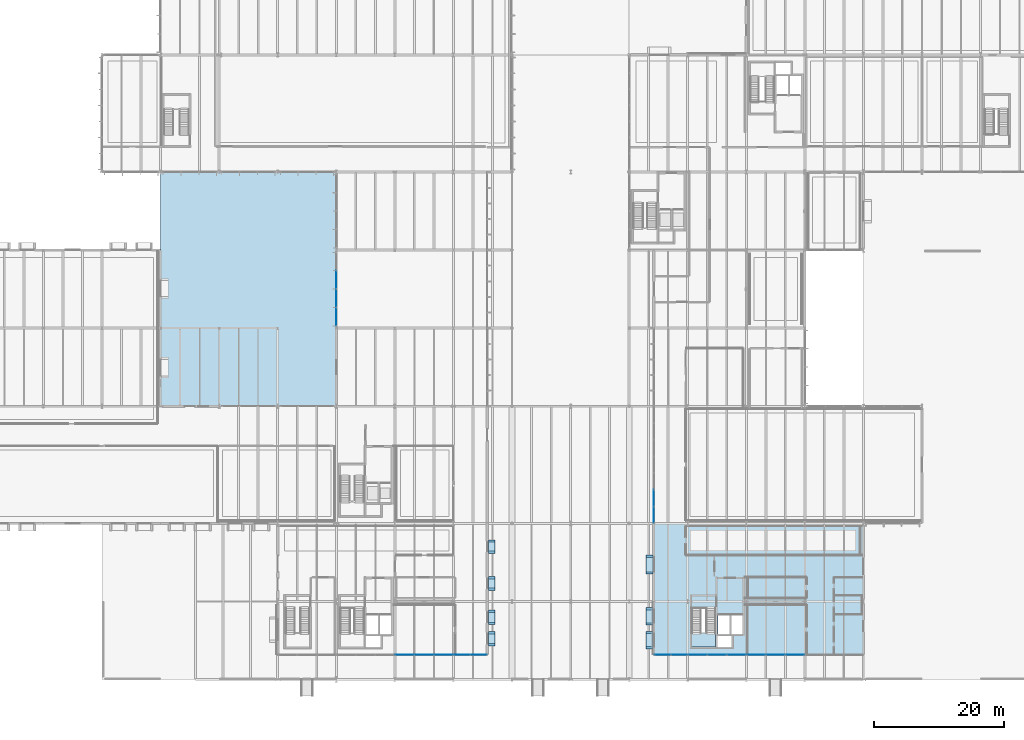
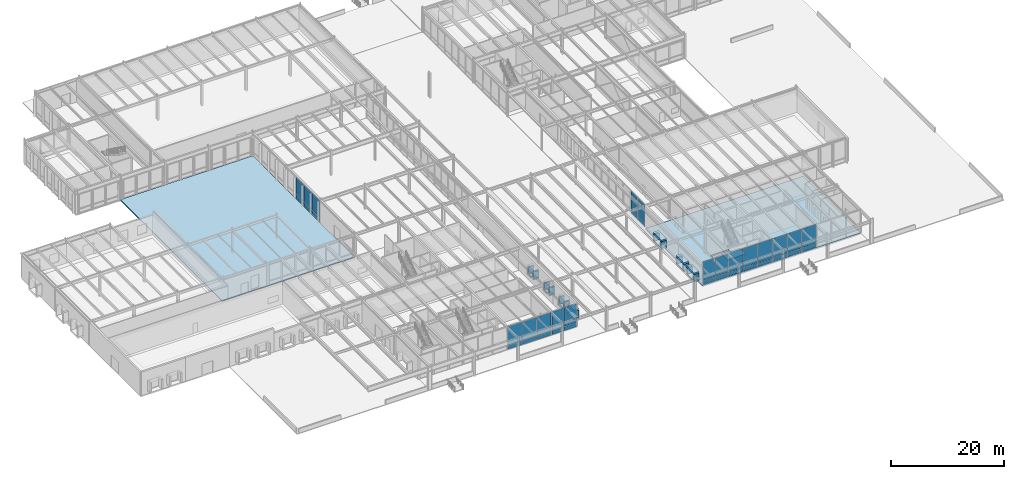
# One storey, part 105 of 143: 64 plates, 3 slabs, 8 elements without a shape of their own.
"""IFC4 building model written with IfcOpenShell, lengths in metres."""

from ifc_helpers import new_model, si_unit, direction, frame, origin, origin_2d, place, context, subcontext, project, spatial, polyline, rectangle, outline, extrude, material, layer, layer_set, type_object, element, aggregate, save


model = new_model("IFC4")

# Units and contexts
model_context = context("Model", 3, precision=1e-05, world=origin(), true_north=direction((0.0, 1.0)))
body_context = subcontext(model_context, "Body", "Model", "MODEL_VIEW")
ifc_project = project(units=[si_unit("LENGTHUNIT", "METRE"), si_unit("AREAUNIT", "SQUARE_METRE"), si_unit("VOLUMEUNIT", "CUBIC_METRE"), si_unit("PLANEANGLEUNIT", "RADIAN"), si_unit("MASSUNIT", "GRAM", prefix="KILO")], contexts=[model_context])

# Site, building, storey
site_placement = place(None, origin())
site = spatial("IfcSite", under=ifc_project, at=site_placement, CompositionType="ELEMENT")
building_placement = place(site_placement, origin())
building = spatial("IfcBuilding", under=site, at=building_placement, Name="Montelvaro Courts of Justice", CompositionType="ELEMENT")
storey_placement = place(building_placement, origin())
storey = spatial("IfcBuildingStorey", under=building, at=storey_placement, Name="L00", CompositionType="ELEMENT", Elevation=0.0)

# Curtain wall, plates
ifc_material_1 = material(Name="Anodised aluminium EN AW-6063", Category="aluminium")
ifc_layer_1 = layer(ifc_material_1, 0.159912109375)
ifc_layer_set_1 = layer_set([ifc_layer_1], Name="Anodised aluminium EN AW-6063")
curtain_wall_type_1 = type_object("IfcCurtainWallType", Name="CurtainWall_08_1137x508", PredefinedType="USERDEFINED", material=ifc_layer_set_1)
curtain_wall_1_placement = place(storey_placement, origin())
curtain_wall_1 = element("IfcCurtainWall", 1, at=curtain_wall_1_placement, inside=storey, type_object=curtain_wall_type_1, Name="Curtain Wall CW-08 (L00)", ObjectType="CURTAIN WALL", PredefinedType="USERDEFINED")
ifc_material_2 = material(Name="Low-E solar control double glazing", Category="glass")
ifc_layer_2 = layer(ifc_material_2, 0.028076171875)
ifc_layer_set_2 = layer_set([ifc_layer_2], Name="Low-E solar control double glazing")
plate_type_1 = type_object("IfcPlateType", Name="CurtainWall_Glazed_Panel_28", PredefinedType="CURTAIN_PANEL", material=ifc_layer_set_2)
plate_1_placement = place(storey_placement, frame((54.0, 61.421142578125, 0.074951171875), z_axis=(0.0, 0.0, 1.0), x_axis=(0.0, -1.0, 0.0)))
plate_1 = element("IfcPlate", 2, at=plate_1_placement, type_object=plate_type_1, Name="CW-08 panel 2.1", PredefinedType="CURTAIN_PANEL", context=body_context, shape_type="SweptSolid", body=[
    extrude(rectangle(XDim=2.767578125, YDim=0.028076171875, at=origin_2d()), origin(), (0.0, 0.0, 1.0), 0.83740234375),
])
plate_2_placement = place(storey_placement, frame((54.0, 61.421142578125, 0.987548828125), z_axis=(0.0, 0.0, 1.0), x_axis=(0.0, -1.0, 0.0)))
plate_2 = element("IfcPlate", 3, at=plate_2_placement, type_object=plate_type_1, Name="CW-08 panel 2.2", PredefinedType="CURTAIN_PANEL", context=body_context, shape_type="SweptSolid", body=[
    extrude(rectangle(XDim=2.767578125, YDim=0.028076171875, at=origin_2d()), origin(), (0.0, 0.0, 1.0), 3.66259765625),
])
plate_3_placement = place(storey_placement, frame((54.0, 58.578857421875, 0.074951171875), z_axis=(0.0, 0.0, 1.0), x_axis=(0.0, -1.0, 0.0)))
plate_3 = element("IfcPlate", 4, at=plate_3_placement, type_object=plate_type_1, Name="CW-08 panel 3.1", PredefinedType="CURTAIN_PANEL", context=body_context, shape_type="SweptSolid", body=[
    extrude(rectangle(XDim=2.767578125, YDim=0.028076171875, at=origin_2d()), origin(), (0.0, 0.0, 1.0), 0.83740234375),
])
plate_4_placement = place(storey_placement, frame((54.0, 58.578857421875, 0.987548828125), z_axis=(0.0, 0.0, 1.0), x_axis=(0.0, -1.0, 0.0)))
plate_4 = element("IfcPlate", 5, at=plate_4_placement, type_object=plate_type_1, Name="CW-08 panel 3.2", PredefinedType="CURTAIN_PANEL", context=body_context, shape_type="SweptSolid", body=[
    extrude(rectangle(XDim=2.767578125, YDim=0.028076171875, at=origin_2d()), origin(), (0.0, 0.0, 1.0), 3.66259765625),
])
plate_5_placement = place(storey_placement, frame((54.0, 55.7548828125, 0.074951171875), z_axis=(0.0, 0.0, 1.0), x_axis=(0.0, -1.0, 0.0)))
plate_5 = element("IfcPlate", 6, at=plate_5_placement, type_object=plate_type_1, Name="CW-08 panel 4.1", PredefinedType="CURTAIN_PANEL", context=body_context, shape_type="SweptSolid", body=[
    extrude(rectangle(XDim=2.72998046875, YDim=0.028076171875, at=origin_2d()), origin(), (0.0, 0.0, 1.0), 0.83740234375),
])
plate_6_placement = place(storey_placement, frame((54.0, 55.7548828125, 0.987548828125), z_axis=(0.0, 0.0, 1.0), x_axis=(0.0, -1.0, 0.0)))
plate_6 = element("IfcPlate", 7, at=plate_6_placement, type_object=plate_type_1, Name="CW-08 panel 4.2", PredefinedType="CURTAIN_PANEL", context=body_context, shape_type="SweptSolid", body=[
    extrude(rectangle(XDim=2.72998046875, YDim=0.028076171875, at=origin_2d()), origin(), (0.0, 0.0, 1.0), 3.66259765625),
])
aggregate(curtain_wall_1, [plate_1, plate_2, plate_3, plate_4, plate_5, plate_6])

ifc_layer_3 = layer(ifc_material_1, 0.159912109375)
ifc_layer_set_3 = layer_set([ifc_layer_3], Name="Anodised aluminium EN AW-6063")
curtain_wall_type_2 = type_object("IfcCurtainWallType", Name="CurtainWall_09_1796x508", PredefinedType="USERDEFINED", material=ifc_layer_set_3)
curtain_wall_2_placement = place(storey_placement, origin())
curtain_wall_2 = element("IfcCurtainWall", 8, at=curtain_wall_2_placement, inside=storey, type_object=curtain_wall_type_2, Name="Curtain Wall CW-09 (L00)", ObjectType="CURTAIN WALL", PredefinedType="USERDEFINED")
plate_7_placement = place(storey_placement, frame((102.800048828125, 27.888671875, 0.074951171875), z_axis=(0.0, 0.0, 1.0), x_axis=(0.0, -1.0, 0.0)))
plate_7 = element("IfcPlate", 9, at=plate_7_placement, type_object=plate_type_1, Name="CW-09 panel 6.1", PredefinedType="CURTAIN_PANEL", context=body_context, shape_type="SweptSolid", body=[
    extrude(rectangle(XDim=2.49072265625, YDim=0.028076171875, at=origin_2d()), origin(), (0.0, 0.0, 1.0), 0.83740234375),
])
plate_8_placement = place(storey_placement, frame((102.800048828125, 27.888671875, 0.987548828125), z_axis=(0.0, 0.0, 1.0), x_axis=(0.0, -1.0, 0.0)))
plate_8 = element("IfcPlate", 10, at=plate_8_placement, type_object=plate_type_1, Name="CW-09 panel 6.2", PredefinedType="CURTAIN_PANEL", context=body_context, shape_type="SweptSolid", body=[
    extrude(rectangle(XDim=2.49072265625, YDim=0.028076171875, at=origin_2d()), origin(), (0.0, 0.0, 1.0), 4.017578125),
])
plate_9_placement = place(storey_placement, frame((102.800048828125, 25.341552734375, 0.074951171875), z_axis=(0.0, 0.0, 1.0), x_axis=(0.0, -1.0, 0.0)))
plate_9 = element("IfcPlate", 11, at=plate_9_placement, type_object=plate_type_1, Name="CW-09 panel 7.1", PredefinedType="CURTAIN_PANEL", context=body_context, shape_type="SweptSolid", body=[
    extrude(rectangle(XDim=2.453125, YDim=0.028076171875, at=origin_2d()), origin(), (0.0, 0.0, 1.0), 0.83740234375),
])
plate_10_placement = place(storey_placement, frame((102.800048828125, 25.341552734375, 0.987548828125), z_axis=(0.0, 0.0, 1.0), x_axis=(0.0, -1.0, 0.0)))
plate_10 = element("IfcPlate", 12, at=plate_10_placement, type_object=plate_type_1, Name="CW-09 panel 7.2", PredefinedType="CURTAIN_PANEL", context=body_context, shape_type="SweptSolid", body=[
    extrude(rectangle(XDim=2.453125, YDim=0.028076171875, at=origin_2d()), origin(), (0.0, 0.0, 1.0), 4.017578125),
])
aggregate(curtain_wall_2, [plate_7, plate_8, plate_9, plate_10])

ifc_layer_4 = layer(ifc_material_1, 0.159912109375)
ifc_layer_set_4 = layer_set([ifc_layer_4], Name="Anodised aluminium EN AW-6063")
curtain_wall_type_3 = type_object("IfcCurtainWallType", Name="CurtainWall_11_900x508", PredefinedType="USERDEFINED", material=ifc_layer_set_4)
curtain_wall_3_placement = place(storey_placement, origin())
curtain_wall_3 = element("IfcCurtainWall", 13, at=curtain_wall_3_placement, inside=storey, type_object=curtain_wall_type_3, Name="Curtain Wall CW-11 (L00)", ObjectType="CURTAIN WALL", PredefinedType="USERDEFINED")
plate_11_placement = place(storey_placement, frame((64.514892578125, 3.800048828125, 0.06005859375), z_axis=(0.0, 0.0, 1.0), x_axis=(1.0, 0.0, 0.0)))
plate_11 = element("IfcPlate", 14, at=plate_11_placement, type_object=plate_type_1, Name="CW-11 panel 1.1", PredefinedType="CURTAIN_PANEL", context=body_context, shape_type="SweptSolid", body=[
    extrude(rectangle(XDim=2.909912109375, YDim=0.028076171875, at=origin_2d()), origin(), (0.0, 0.0, 1.0), 0.860107421875),
])
plate_12_placement = place(storey_placement, frame((64.514892578125, 3.800048828125, 0.97998046875), z_axis=(0.0, 0.0, 1.0), x_axis=(1.0, 0.0, 0.0)))
plate_12 = element("IfcPlate", 15, at=plate_12_placement, type_object=plate_type_1, Name="CW-11 panel 1.2", PredefinedType="CURTAIN_PANEL", context=body_context, shape_type="SweptSolid", body=[
    extrude(rectangle(XDim=2.909912109375, YDim=0.028076171875, at=origin_2d()), origin(), (0.0, 0.0, 1.0), 4.0400390625),
])
plate_13_placement = place(storey_placement, frame((67.5, 3.800048828125, 0.06005859375), z_axis=(0.0, 0.0, 1.0), x_axis=(1.0, 0.0, 0.0)))
plate_13 = element("IfcPlate", 16, at=plate_13_placement, type_object=plate_type_1, Name="CW-11 panel 2.1", PredefinedType="CURTAIN_PANEL", context=body_context, shape_type="SweptSolid", body=[
    extrude(rectangle(XDim=2.93994140625, YDim=0.028076171875, at=origin_2d()), origin(), (0.0, 0.0, 1.0), 0.860107421875),
])
plate_14_placement = place(storey_placement, frame((67.5, 3.800048828125, 0.97998046875), z_axis=(0.0, 0.0, 1.0), x_axis=(1.0, 0.0, 0.0)))
plate_14 = element("IfcPlate", 17, at=plate_14_placement, type_object=plate_type_1, Name="CW-11 panel 2.2", PredefinedType="CURTAIN_PANEL", context=body_context, shape_type="SweptSolid", body=[
    extrude(rectangle(XDim=2.93994140625, YDim=0.028076171875, at=origin_2d()), origin(), (0.0, 0.0, 1.0), 4.0400390625),
])
plate_15_placement = place(storey_placement, frame((70.485107421875, 3.800048828125, 0.06005859375), z_axis=(0.0, 0.0, 1.0), x_axis=(1.0, 0.0, 0.0)))
plate_15 = element("IfcPlate", 18, at=plate_15_placement, type_object=plate_type_1, Name="CW-11 panel 3.1", PredefinedType="CURTAIN_PANEL", context=body_context, shape_type="SweptSolid", body=[
    extrude(rectangle(XDim=2.909912109375, YDim=0.028076171875, at=origin_2d()), origin(), (0.0, 0.0, 1.0), 0.860107421875),
])
plate_16_placement = place(storey_placement, frame((70.485107421875, 3.800048828125, 0.97998046875), z_axis=(0.0, 0.0, 1.0), x_axis=(1.0, 0.0, 0.0)))
plate_16 = element("IfcPlate", 19, at=plate_16_placement, type_object=plate_type_1, Name="CW-11 panel 3.2", PredefinedType="CURTAIN_PANEL", context=body_context, shape_type="SweptSolid", body=[
    extrude(rectangle(XDim=2.909912109375, YDim=0.028076171875, at=origin_2d()), origin(), (0.0, 0.0, 1.0), 4.0400390625),
])
aggregate(curtain_wall_3, [plate_11, plate_12, plate_13, plate_14, plate_15, plate_16])

ifc_layer_5 = layer(ifc_material_1, 0.159912109375)
ifc_layer_set_5 = layer_set([ifc_layer_5], Name="Anodised aluminium EN AW-6063")
curtain_wall_type_4 = type_object("IfcCurtainWallType", Name="CurtainWall_12_516x508", PredefinedType="USERDEFINED", material=ifc_layer_set_5)
curtain_wall_4_placement = place(storey_placement, origin())
curtain_wall_4 = element("IfcCurtainWall", 20, at=curtain_wall_4_placement, inside=storey, type_object=curtain_wall_type_4, Name="Curtain Wall CW-12 (L00)", ObjectType="CURTAIN WALL", PredefinedType="USERDEFINED")
plate_17_placement = place(storey_placement, frame((73.304931640625, 3.800048828125, 0.074951171875), z_axis=(0.0, 0.0, 1.0), x_axis=(1.0, 0.0, 0.0)))
plate_17 = element("IfcPlate", 21, at=plate_17_placement, type_object=plate_type_1, Name="CW-12 panel 1.1", PredefinedType="CURTAIN_PANEL", context=body_context, shape_type="SweptSolid", body=[
    extrude(rectangle(XDim=2.489990234375, YDim=0.028076171875, at=origin_2d()), origin(), (0.0, 0.0, 1.0), 0.83740234375),
])
plate_18_placement = place(storey_placement, frame((73.304931640625, 3.800048828125, 0.987548828125), z_axis=(0.0, 0.0, 1.0), x_axis=(1.0, 0.0, 0.0)))
plate_18 = element("IfcPlate", 22, at=plate_18_placement, type_object=plate_type_1, Name="CW-12 panel 1.2", PredefinedType="CURTAIN_PANEL", context=body_context, shape_type="SweptSolid", body=[
    extrude(rectangle(XDim=2.489990234375, YDim=0.028076171875, at=origin_2d()), origin(), (0.0, 0.0, 1.0), 4.017578125),
])
plate_19_placement = place(storey_placement, frame((75.85498046875, 3.800048828125, 0.074951171875), z_axis=(0.0, 0.0, 1.0), x_axis=(1.0, 0.0, 0.0)))
plate_19 = element("IfcPlate", 23, at=plate_19_placement, type_object=plate_type_1, Name="CW-12 panel 2.1", PredefinedType="CURTAIN_PANEL", context=body_context, shape_type="SweptSolid", body=[
    extrude(rectangle(XDim=2.489990234375, YDim=0.028076171875, at=origin_2d()), origin(), (0.0, 0.0, 1.0), 0.83740234375),
])
plate_20_placement = place(storey_placement, frame((75.85498046875, 3.800048828125, 0.987548828125), z_axis=(0.0, 0.0, 1.0), x_axis=(1.0, 0.0, 0.0)))
plate_20 = element("IfcPlate", 24, at=plate_20_placement, type_object=plate_type_1, Name="CW-12 panel 2.2", PredefinedType="CURTAIN_PANEL", context=body_context, shape_type="SweptSolid", body=[
    extrude(rectangle(XDim=2.489990234375, YDim=0.028076171875, at=origin_2d()), origin(), (0.0, 0.0, 1.0), 4.017578125),
])
aggregate(curtain_wall_4, [plate_17, plate_18, plate_19, plate_20])

curtain_wall_5_placement = place(storey_placement, origin())
curtain_wall_5 = element("IfcCurtainWall", 25, at=curtain_wall_5_placement, inside=storey, type_object=curtain_wall_type_4, Name="Curtain Wall CW-12 (L00)", ObjectType="CURTAIN WALL", PredefinedType="USERDEFINED")
plate_21_placement = place(storey_placement, frame((104.146240234375, 3.800048828125, 0.074951171875), z_axis=(0.0, 0.0, 1.0), x_axis=(1.0, 0.0, 0.0)))
plate_21 = element("IfcPlate", 26, at=plate_21_placement, type_object=plate_type_1, Name="CW-12 panel 1.1", PredefinedType="CURTAIN_PANEL", context=body_context, shape_type="SweptSolid", body=[
    extrude(rectangle(XDim=2.482421875, YDim=0.028076171875, at=origin_2d()), origin(), (0.0, 0.0, 1.0), 0.83740234375),
])
plate_22_placement = place(storey_placement, frame((104.146240234375, 3.800048828125, 0.987548828125), z_axis=(0.0, 0.0, 1.0), x_axis=(1.0, 0.0, 0.0)))
plate_22 = element("IfcPlate", 27, at=plate_22_placement, type_object=plate_type_1, Name="CW-12 panel 1.2", PredefinedType="CURTAIN_PANEL", context=body_context, shape_type="SweptSolid", body=[
    extrude(rectangle(XDim=2.482421875, YDim=0.028076171875, at=origin_2d()), origin(), (0.0, 0.0, 1.0), 4.017578125),
])
plate_23_placement = place(storey_placement, frame((106.69384765625, 3.800048828125, 0.074951171875), z_axis=(0.0, 0.0, 1.0), x_axis=(1.0, 0.0, 0.0)))
plate_23 = element("IfcPlate", 28, at=plate_23_placement, type_object=plate_type_1, Name="CW-12 panel 2.1", PredefinedType="CURTAIN_PANEL", context=body_context, shape_type="SweptSolid", body=[
    extrude(rectangle(XDim=2.482421875, YDim=0.028076171875, at=origin_2d()), origin(), (0.0, 0.0, 1.0), 0.83740234375),
])
plate_24_placement = place(storey_placement, frame((106.69384765625, 3.800048828125, 0.987548828125), z_axis=(0.0, 0.0, 1.0), x_axis=(1.0, 0.0, 0.0)))
plate_24 = element("IfcPlate", 29, at=plate_24_placement, type_object=plate_type_1, Name="CW-12 panel 2.2", PredefinedType="CURTAIN_PANEL", context=body_context, shape_type="SweptSolid", body=[
    extrude(rectangle(XDim=2.482421875, YDim=0.028076171875, at=origin_2d()), origin(), (0.0, 0.0, 1.0), 4.017578125),
])
aggregate(curtain_wall_5, [plate_21, plate_22, plate_23, plate_24])

curtain_wall_6_placement = place(storey_placement, origin())
curtain_wall_6 = element("IfcCurtainWall", 30, at=curtain_wall_6_placement, inside=storey, type_object=curtain_wall_type_3, Name="Curtain Wall CW-11 (L00)", ObjectType="CURTAIN WALL", PredefinedType="USERDEFINED")
plate_25_placement = place(storey_placement, frame((109.518798828125, 3.800048828125, 0.06005859375), z_axis=(0.0, 0.0, 1.0), x_axis=(1.0, 0.0, 0.0)))
plate_25 = element("IfcPlate", 31, at=plate_25_placement, type_object=plate_type_1, Name="CW-11 panel 1.1", PredefinedType="CURTAIN_PANEL", context=body_context, shape_type="SweptSolid", body=[
    extrude(rectangle(XDim=2.887451171875, YDim=0.028076171875, at=origin_2d()), origin(), (0.0, 0.0, 1.0), 0.860107421875),
])
plate_26_placement = place(storey_placement, frame((109.518798828125, 3.800048828125, 0.97998046875), z_axis=(0.0, 0.0, 1.0), x_axis=(1.0, 0.0, 0.0)))
plate_26 = element("IfcPlate", 32, at=plate_26_placement, type_object=plate_type_1, Name="CW-11 panel 1.2", PredefinedType="CURTAIN_PANEL", context=body_context, shape_type="SweptSolid", body=[
    extrude(rectangle(XDim=2.887451171875, YDim=0.028076171875, at=origin_2d()), origin(), (0.0, 0.0, 1.0), 4.0400390625),
])
plate_27_placement = place(storey_placement, frame((112.5, 3.800048828125, 0.06005859375), z_axis=(0.0, 0.0, 1.0), x_axis=(1.0, 0.0, 0.0)))
plate_27 = element("IfcPlate", 33, at=plate_27_placement, type_object=plate_type_1, Name="CW-11 panel 2.1", PredefinedType="CURTAIN_PANEL", context=body_context, shape_type="SweptSolid", body=[
    extrude(rectangle(XDim=2.925048828125, YDim=0.028076171875, at=origin_2d()), origin(), (0.0, 0.0, 1.0), 0.860107421875),
])
plate_28_placement = place(storey_placement, frame((112.5, 3.800048828125, 0.97998046875), z_axis=(0.0, 0.0, 1.0), x_axis=(1.0, 0.0, 0.0)))
plate_28 = element("IfcPlate", 34, at=plate_28_placement, type_object=plate_type_1, Name="CW-11 panel 2.2", PredefinedType="CURTAIN_PANEL", context=body_context, shape_type="SweptSolid", body=[
    extrude(rectangle(XDim=2.925048828125, YDim=0.028076171875, at=origin_2d()), origin(), (0.0, 0.0, 1.0), 4.0400390625),
])
plate_29_placement = place(storey_placement, frame((115.481201171875, 3.800048828125, 0.06005859375), z_axis=(0.0, 0.0, 1.0), x_axis=(1.0, 0.0, 0.0)))
plate_29 = element("IfcPlate", 35, at=plate_29_placement, type_object=plate_type_1, Name="CW-11 panel 3.1", PredefinedType="CURTAIN_PANEL", context=body_context, shape_type="SweptSolid", body=[
    extrude(rectangle(XDim=2.887451171875, YDim=0.028076171875, at=origin_2d()), origin(), (0.0, 0.0, 1.0), 0.860107421875),
])
plate_30_placement = place(storey_placement, frame((115.481201171875, 3.800048828125, 0.97998046875), z_axis=(0.0, 0.0, 1.0), x_axis=(1.0, 0.0, 0.0)))
plate_30 = element("IfcPlate", 36, at=plate_30_placement, type_object=plate_type_1, Name="CW-11 panel 3.2", PredefinedType="CURTAIN_PANEL", context=body_context, shape_type="SweptSolid", body=[
    extrude(rectangle(XDim=2.887451171875, YDim=0.028076171875, at=origin_2d()), origin(), (0.0, 0.0, 1.0), 4.0400390625),
])
aggregate(curtain_wall_6, [plate_25, plate_26, plate_27, plate_28, plate_29, plate_30])

curtain_wall_7_placement = place(storey_placement, origin())
curtain_wall_7 = element("IfcCurtainWall", 37, at=curtain_wall_7_placement, inside=storey, type_object=curtain_wall_type_3, Name="Curtain Wall CW-11 (L00)", ObjectType="CURTAIN WALL", PredefinedType="USERDEFINED")
plate_31_placement = place(storey_placement, frame((118.518798828125, 3.800048828125, 0.06005859375), z_axis=(0.0, 0.0, 1.0), x_axis=(1.0, 0.0, 0.0)))
plate_31 = element("IfcPlate", 38, at=plate_31_placement, type_object=plate_type_1, Name="CW-11 panel 1.1", PredefinedType="CURTAIN_PANEL", context=body_context, shape_type="SweptSolid", body=[
    extrude(rectangle(XDim=2.887451171875, YDim=0.028076171875, at=origin_2d()), origin(), (0.0, 0.0, 1.0), 0.860107421875),
])
plate_32_placement = place(storey_placement, frame((118.518798828125, 3.800048828125, 0.97998046875), z_axis=(0.0, 0.0, 1.0), x_axis=(1.0, 0.0, 0.0)))
plate_32 = element("IfcPlate", 39, at=plate_32_placement, type_object=plate_type_1, Name="CW-11 panel 1.2", PredefinedType="CURTAIN_PANEL", context=body_context, shape_type="SweptSolid", body=[
    extrude(rectangle(XDim=2.887451171875, YDim=0.028076171875, at=origin_2d()), origin(), (0.0, 0.0, 1.0), 4.0400390625),
])
plate_33_placement = place(storey_placement, frame((121.5, 3.800048828125, 0.06005859375), z_axis=(0.0, 0.0, 1.0), x_axis=(1.0, 0.0, 0.0)))
plate_33 = element("IfcPlate", 40, at=plate_33_placement, type_object=plate_type_1, Name="CW-11 panel 2.1", PredefinedType="CURTAIN_PANEL", context=body_context, shape_type="SweptSolid", body=[
    extrude(rectangle(XDim=2.925048828125, YDim=0.028076171875, at=origin_2d()), origin(), (0.0, 0.0, 1.0), 0.860107421875),
])
plate_34_placement = place(storey_placement, frame((121.5, 3.800048828125, 0.97998046875), z_axis=(0.0, 0.0, 1.0), x_axis=(1.0, 0.0, 0.0)))
plate_34 = element("IfcPlate", 41, at=plate_34_placement, type_object=plate_type_1, Name="CW-11 panel 2.2", PredefinedType="CURTAIN_PANEL", context=body_context, shape_type="SweptSolid", body=[
    extrude(rectangle(XDim=2.925048828125, YDim=0.028076171875, at=origin_2d()), origin(), (0.0, 0.0, 1.0), 4.0400390625),
])
plate_35_placement = place(storey_placement, frame((124.481201171875, 3.800048828125, 0.06005859375), z_axis=(0.0, 0.0, 1.0), x_axis=(1.0, 0.0, 0.0)))
plate_35 = element("IfcPlate", 42, at=plate_35_placement, type_object=plate_type_1, Name="CW-11 panel 3.1", PredefinedType="CURTAIN_PANEL", context=body_context, shape_type="SweptSolid", body=[
    extrude(rectangle(XDim=2.887451171875, YDim=0.028076171875, at=origin_2d()), origin(), (0.0, 0.0, 1.0), 0.860107421875),
])
plate_36_placement = place(storey_placement, frame((124.481201171875, 3.800048828125, 0.97998046875), z_axis=(0.0, 0.0, 1.0), x_axis=(1.0, 0.0, 0.0)))
plate_36 = element("IfcPlate", 43, at=plate_36_placement, type_object=plate_type_1, Name="CW-11 panel 3.2", PredefinedType="CURTAIN_PANEL", context=body_context, shape_type="SweptSolid", body=[
    extrude(rectangle(XDim=2.887451171875, YDim=0.028076171875, at=origin_2d()), origin(), (0.0, 0.0, 1.0), 4.0400390625),
])
aggregate(curtain_wall_7, [plate_31, plate_32, plate_33, plate_34, plate_35, plate_36])

# Slabs
ifc_material_3 = material(Name="Concrete C35/45", Category="concrete")
ifc_layer_6 = layer(ifc_material_3, 0.320068359375)
ifc_layer_set_6 = layer_set([ifc_layer_6], Name="Concrete C35/45")
slab_type_1 = type_object("IfcSlabType", Name="FloorSlab_V5_320", PredefinedType="FLOOR", material=ifc_layer_set_6)
slab_1_placement = place(storey_placement, frame((0.0, 0.0, -0.320068359375)))
element("IfcSlab", 44, at=slab_1_placement, inside=storey, type_object=slab_type_1, Name="Structural Slab SF-05 L00", PredefinedType="FLOOR", context=body_context, shape_type="SweptSolid", body=[
    extrude(outline(polyline([(102.800048828125, 3.800048828125), (135.0, 3.800048828125), (135.0, 24.0), (102.800048828125, 24.0), (102.800048828125, 3.800048828125)]), holes=[polyline([(108.60009765625, 5.0), (112.300048828125, 5.0), (112.300048828125, 11.0), (108.60009765625, 11.0), (108.60009765625, 5.0)]), polyline([(112.5400390625, 5.0), (114.800048828125, 5.0), (114.800048828125, 6.760009765625), (112.5400390625, 6.760009765625), (112.5400390625, 5.0)]), polyline([(112.64990234375, 7.0), (114.5, 7.0), (114.5, 9.89990234375), (112.64990234375, 9.89990234375), (112.64990234375, 7.0)]), polyline([(114.60009765625, 7.0), (116.449951171875, 7.0), (116.449951171875, 9.89990234375), (114.60009765625, 9.89990234375), (114.60009765625, 7.0)])]), origin(), (0.0, 0.0, 1.0), 0.320068359375),
])
ifc_layer_7 = layer(ifc_material_3, 0.179931640625)
ifc_layer_set_7 = layer_set([ifc_layer_7], Name="Concrete C35/45")
slab_type_2 = type_object("IfcSlabType", Name="PavingSlab_180", PredefinedType="USERDEFINED", material=ifc_layer_set_7)
slab_2_placement = place(storey_placement, frame((0.0, 0.0, -0.179931640625)))
element("IfcSlab", 45, at=slab_2_placement, inside=storey, type_object=slab_type_2, Name="Exterior Civic Paving SP-01", ObjectType="PAVING", PredefinedType="USERDEFINED", context=body_context, shape_type="SweptSolid", body=[
    extrude(outline(polyline([(27.0, 77.97998046875), (53.97998046875, 77.97998046875), (53.97998046875, 42.02001953125), (27.02001953125, 42.02001953125), (27.02001953125, 66.0), (27.02001953125, 66.001953125), (27.02001953125, 66.00390625), (27.01904296875, 66.006103515625), (27.01806640625, 66.008056640625), (27.01806640625, 66.009033203125), (27.01708984375, 66.010986328125), (27.014892578125, 66.012939453125), (27.013916015625, 66.013916015625), (27.012939453125, 66.014892578125), (27.010986328125, 66.01708984375), (27.009033203125, 66.01806640625), (27.008056640625, 66.01806640625), (27.006103515625, 66.01904296875), (27.00390625, 66.02001953125), (27.001953125, 66.02001953125), (27.0, 66.02001953125), (27.0, 77.97998046875)])), origin(), (0.0, 0.0, 1.0), 0.179931640625),
])

# Plates
ifc_material_4 = material(Name="White mineral precast concrete C45/55", Category="concrete")
ifc_layer_8 = layer(ifc_material_4, 0.35009765625)
ifc_layer_set_8 = layer_set([ifc_layer_8], Name="White mineral precast concrete C45/55")
plate_type_2 = type_object("IfcPlateType", Name="PrecastSquareFrame_350x1050", PredefinedType="SHEET", material=ifc_layer_set_8)
for number, where, z_axis, x_axis, name in (
    (46, (77.89501953125, 6.291015625, 2.349853515625), (0.0, 0.0, 1.0), (0.0, 1.0, 0.0), "Graduated Square Window Frame PF-01 W-L00-020 TOP"),
    (47, (77.89501953125, 6.291015625, 0.5), (0.0, 0.0, 1.0), (0.0, 1.0, 0.0), "Graduated Square Window Frame PF-01 W-L00-020 BOT"),
):
    element("IfcPlate", number, at=place(storey_placement, frame(where, z_axis=z_axis, x_axis=x_axis)), inside=storey, type_object=plate_type_2, Name=name, PredefinedType="SHEET", context=body_context, shape_type="SweptSolid", body=[
        extrude(rectangle(XDim=2.199951171875, YDim=1.06005859375, at=origin_2d()), origin(), (0.0, 0.0, 1.0), 0.35009765625),
    ])
for number, where, z_axis, x_axis, name in (
    (48, (77.89501953125, 5.365966796875, 0.85009765625), (0.0, 0.0, 1.0), (0.0, 1.0, 0.0), "Graduated Square Window Frame PF-01 W-L00-020 L"),
    (49, (77.89501953125, 7.216064453125, 0.85009765625), (0.0, 0.0, 1.0), (0.0, 1.0, 0.0), "Graduated Square Window Frame PF-01 W-L00-020 R"),
):
    element("IfcPlate", number, at=place(storey_placement, frame(where, z_axis=z_axis, x_axis=x_axis)), inside=storey, type_object=plate_type_2, Name=name, PredefinedType="SHEET", context=body_context, shape_type="SweptSolid", body=[
        extrude(rectangle(XDim=0.35009765625, YDim=1.06005859375, at=origin_2d()), origin(), (0.0, 0.0, 1.0), 1.5),
    ])
for number, where, z_axis, x_axis, name in (
    (50, (77.89501953125, 9.55908203125, 2.349853515625), (0.0, 0.0, 1.0), (0.0, 1.0, 0.0), "Graduated Square Window Frame PF-01 W-L00-021 TOP"),
    (51, (77.89501953125, 9.55908203125, 0.5), (0.0, 0.0, 1.0), (0.0, 1.0, 0.0), "Graduated Square Window Frame PF-01 W-L00-021 BOT"),
):
    element("IfcPlate", number, at=place(storey_placement, frame(where, z_axis=z_axis, x_axis=x_axis)), inside=storey, type_object=plate_type_2, Name=name, PredefinedType="SHEET", context=body_context, shape_type="SweptSolid", body=[
        extrude(rectangle(XDim=2.199951171875, YDim=1.06005859375, at=origin_2d()), origin(), (0.0, 0.0, 1.0), 0.35009765625),
    ])
for number, where, z_axis, x_axis, name in (
    (52, (77.89501953125, 8.634033203125, 0.85009765625), (0.0, 0.0, 1.0), (0.0, 1.0, 0.0), "Graduated Square Window Frame PF-01 W-L00-021 L"),
    (53, (77.89501953125, 10.48388671875, 0.85009765625), (0.0, 0.0, 1.0), (0.0, 1.0, 0.0), "Graduated Square Window Frame PF-01 W-L00-021 R"),
):
    element("IfcPlate", number, at=place(storey_placement, frame(where, z_axis=z_axis, x_axis=x_axis)), inside=storey, type_object=plate_type_2, Name=name, PredefinedType="SHEET", context=body_context, shape_type="SweptSolid", body=[
        extrude(rectangle(XDim=0.35009765625, YDim=1.06005859375, at=origin_2d()), origin(), (0.0, 0.0, 1.0), 1.5),
    ])
for number, where, z_axis, x_axis, name in (
    (54, (77.89501953125, 14.760009765625, 2.25), (0.0, 0.0, 1.0), (0.0, 1.0, 0.0), "Graduated Square Window Frame PF-01 W-L00-022 TOP"),
    (55, (77.89501953125, 14.760009765625, 0.5), (0.0, 0.0, 1.0), (0.0, 1.0, 0.0), "Graduated Square Window Frame PF-01 W-L00-022 BOT"),
):
    element("IfcPlate", number, at=place(storey_placement, frame(where, z_axis=z_axis, x_axis=x_axis)), inside=storey, type_object=plate_type_2, Name=name, PredefinedType="SHEET", context=body_context, shape_type="SweptSolid", body=[
        extrude(rectangle(XDim=2.10009765625, YDim=1.06005859375, at=origin_2d()), origin(), (0.0, 0.0, 1.0), 0.35009765625),
    ])
for number, where, z_axis, x_axis, name in (
    (56, (77.89501953125, 13.885009765625, 0.85009765625), (0.0, 0.0, 1.0), (0.0, 1.0, 0.0), "Graduated Square Window Frame PF-01 W-L00-022 L"),
    (57, (77.89501953125, 15.635009765625, 0.85009765625), (0.0, 0.0, 1.0), (0.0, 1.0, 0.0), "Graduated Square Window Frame PF-01 W-L00-022 R"),
):
    element("IfcPlate", number, at=place(storey_placement, frame(where, z_axis=z_axis, x_axis=x_axis)), inside=storey, type_object=plate_type_2, Name=name, PredefinedType="SHEET", context=body_context, shape_type="SweptSolid", body=[
        extrude(rectangle(XDim=0.35009765625, YDim=1.06005859375, at=origin_2d()), origin(), (0.0, 0.0, 1.0), 1.39990234375),
    ])
for number, where, z_axis, x_axis, name in (
    (58, (77.89501953125, 20.425048828125, 2.25), (0.0, 0.0, 1.0), (0.0, 1.0, 0.0), "Graduated Square Window Frame PF-01 W-L00-023 TOP"),
    (59, (77.89501953125, 20.425048828125, 0.5), (0.0, 0.0, 1.0), (0.0, 1.0, 0.0), "Graduated Square Window Frame PF-01 W-L00-023 BOT"),
):
    element("IfcPlate", number, at=place(storey_placement, frame(where, z_axis=z_axis, x_axis=x_axis)), inside=storey, type_object=plate_type_2, Name=name, PredefinedType="SHEET", context=body_context, shape_type="SweptSolid", body=[
        extrude(rectangle(XDim=2.10009765625, YDim=1.06005859375, at=origin_2d()), origin(), (0.0, 0.0, 1.0), 0.35009765625),
    ])
for number, where, z_axis, x_axis, name in (
    (60, (77.89501953125, 19.550048828125, 0.85009765625), (0.0, 0.0, 1.0), (0.0, 1.0, 0.0), "Graduated Square Window Frame PF-01 W-L00-023 L"),
    (61, (77.89501953125, 21.300048828125, 0.85009765625), (0.0, 0.0, 1.0), (0.0, 1.0, 0.0), "Graduated Square Window Frame PF-01 W-L00-023 R"),
):
    element("IfcPlate", number, at=place(storey_placement, frame(where, z_axis=z_axis, x_axis=x_axis)), inside=storey, type_object=plate_type_2, Name=name, PredefinedType="SHEET", context=body_context, shape_type="SweptSolid", body=[
        extrude(rectangle(XDim=0.35009765625, YDim=1.06005859375, at=origin_2d()), origin(), (0.0, 0.0, 1.0), 1.39990234375),
    ])
for number, where, z_axis, x_axis, name in (
    (62, (102.10498046875, 17.659912109375, 2.25), (0.0, 0.0, 1.0), (0.0, -1.0, 0.0), "Graduated Square Window Frame PF-01 W-L00-025 TOP"),
    (63, (102.10498046875, 17.659912109375, 0.5), (0.0, 0.0, 1.0), (0.0, -1.0, 0.0), "Graduated Square Window Frame PF-01 W-L00-025 BOT"),
):
    element("IfcPlate", number, at=place(storey_placement, frame(where, z_axis=z_axis, x_axis=x_axis)), inside=storey, type_object=plate_type_2, Name=name, PredefinedType="SHEET", context=body_context, shape_type="SweptSolid", body=[
        extrude(rectangle(XDim=2.89990234375, YDim=1.06005859375, at=origin_2d()), origin(), (0.0, 0.0, 1.0), 0.35009765625),
    ])
for number, where, z_axis, x_axis, name in (
    (64, (102.10498046875, 18.93505859375, 0.85009765625), (0.0, 0.0, 1.0), (0.0, -1.0, 0.0), "Graduated Square Window Frame PF-01 W-L00-025 L"),
    (65, (102.10498046875, 16.385009765625, 0.85009765625), (0.0, 0.0, 1.0), (0.0, -1.0, 0.0), "Graduated Square Window Frame PF-01 W-L00-025 R"),
):
    element("IfcPlate", number, at=place(storey_placement, frame(where, z_axis=z_axis, x_axis=x_axis)), inside=storey, type_object=plate_type_2, Name=name, PredefinedType="SHEET", context=body_context, shape_type="SweptSolid", body=[
        extrude(rectangle(XDim=0.35009765625, YDim=1.06005859375, at=origin_2d()), origin(), (0.0, 0.0, 1.0), 1.39990234375),
    ])
for number, where, z_axis, x_axis, name in (
    (66, (102.10498046875, 9.699951171875, 2.14990234375), (0.0, 0.0, 1.0), (0.0, -1.0, 0.0), "Graduated Square Window Frame PF-01 W-L00-026 TOP"),
    (67, (102.10498046875, 9.699951171875, 0.5), (0.0, 0.0, 1.0), (0.0, -1.0, 0.0), "Graduated Square Window Frame PF-01 W-L00-026 BOT"),
):
    element("IfcPlate", number, at=place(storey_placement, frame(where, z_axis=z_axis, x_axis=x_axis)), inside=storey, type_object=plate_type_2, Name=name, PredefinedType="SHEET", context=body_context, shape_type="SweptSolid", body=[
        extrude(rectangle(XDim=2.699951171875, YDim=1.06005859375, at=origin_2d()), origin(), (0.0, 0.0, 1.0), 0.35009765625),
    ])
for number, where, z_axis, x_axis, name in (
    (68, (102.10498046875, 10.875, 0.85009765625), (0.0, 0.0, 1.0), (0.0, -1.0, 0.0), "Graduated Square Window Frame PF-01 W-L00-026 L"),
    (69, (102.10498046875, 8.52490234375, 0.85009765625), (0.0, 0.0, 1.0), (0.0, -1.0, 0.0), "Graduated Square Window Frame PF-01 W-L00-026 R"),
):
    element("IfcPlate", number, at=place(storey_placement, frame(where, z_axis=z_axis, x_axis=x_axis)), inside=storey, type_object=plate_type_2, Name=name, PredefinedType="SHEET", context=body_context, shape_type="SweptSolid", body=[
        extrude(rectangle(XDim=0.35009765625, YDim=1.06005859375, at=origin_2d()), origin(), (0.0, 0.0, 1.0), 1.300048828125),
    ])
for number, where, z_axis, x_axis, name in (
    (70, (102.10498046875, 6.070068359375, 2.14990234375), (0.0, 0.0, 1.0), (0.0, -1.0, 0.0), "Graduated Square Window Frame PF-01 W-L00-027 TOP"),
    (71, (102.10498046875, 6.070068359375, 0.5), (0.0, 0.0, 1.0), (0.0, -1.0, 0.0), "Graduated Square Window Frame PF-01 W-L00-027 BOT"),
):
    element("IfcPlate", number, at=place(storey_placement, frame(where, z_axis=z_axis, x_axis=x_axis)), inside=storey, type_object=plate_type_2, Name=name, PredefinedType="SHEET", context=body_context, shape_type="SweptSolid", body=[
        extrude(rectangle(XDim=2.699951171875, YDim=1.06005859375, at=origin_2d()), origin(), (0.0, 0.0, 1.0), 0.35009765625),
    ])
for number, where, z_axis, x_axis, name in (
    (72, (102.10498046875, 7.2451171875, 0.85009765625), (0.0, 0.0, 1.0), (0.0, -1.0, 0.0), "Graduated Square Window Frame PF-01 W-L00-027 L"),
    (73, (102.10498046875, 4.89501953125, 0.85009765625), (0.0, 0.0, 1.0), (0.0, -1.0, 0.0), "Graduated Square Window Frame PF-01 W-L00-027 R"),
):
    element("IfcPlate", number, at=place(storey_placement, frame(where, z_axis=z_axis, x_axis=x_axis)), inside=storey, type_object=plate_type_2, Name=name, PredefinedType="SHEET", context=body_context, shape_type="SweptSolid", body=[
        extrude(rectangle(XDim=0.35009765625, YDim=1.06005859375, at=origin_2d()), origin(), (0.0, 0.0, 1.0), 1.300048828125),
    ])

# Stair, slab
stair_type = type_object("IfcStairType", Name="ProtectedStair_145", PredefinedType="HALF_TURN_STAIR", material=ifc_material_3)
stair_placement = place(storey_placement, origin())
stair = element("IfcStair", 74, at=stair_placement, inside=storey, type_object=stair_type, Name="Protected Stair ST-K2-L00", PredefinedType="HALF_TURN_STAIR")
ifc_layer_9 = layer(ifc_material_3, 0.199951171875)
ifc_layer_set_9 = layer_set([ifc_layer_9], Name="Concrete C35/45")
slab_type_3 = type_object("IfcSlabType", Name="StairLanding_200", PredefinedType="LANDING", material=ifc_layer_set_9)
slab_3_placement = place(storey_placement, frame((0.0, 0.0, 2.5)))
slab_3 = element("IfcSlab", 75, at=slab_3_placement, type_object=slab_type_3, Name="ST-K2-L00 landing 1", PredefinedType="LANDING", context=body_context, shape_type="SweptSolid", body=[
    extrude(outline(polyline([(108.60009765625, 5.0), (112.300048828125, 5.0), (112.300048828125, 7.1650390625), (108.60009765625, 7.1650390625), (108.60009765625, 5.0)])), origin(), (0.0, 0.0, 1.0), 0.199951171875),
])
aggregate(stair, [slab_3])

save(model, "model.ifc")
